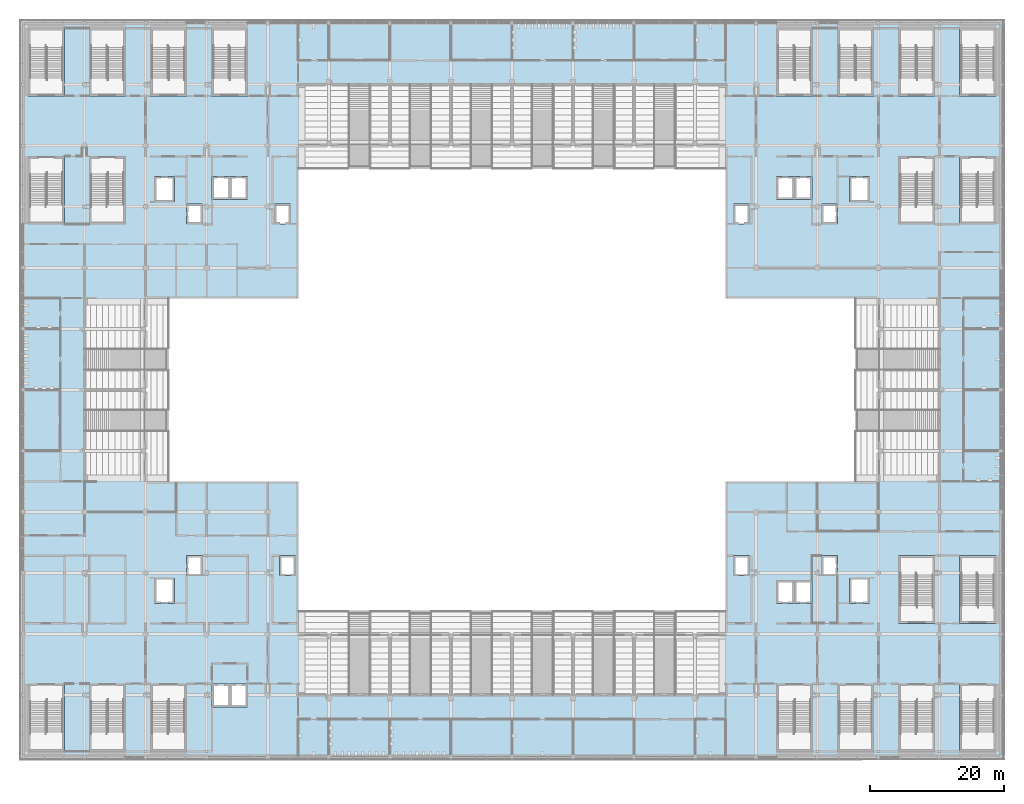
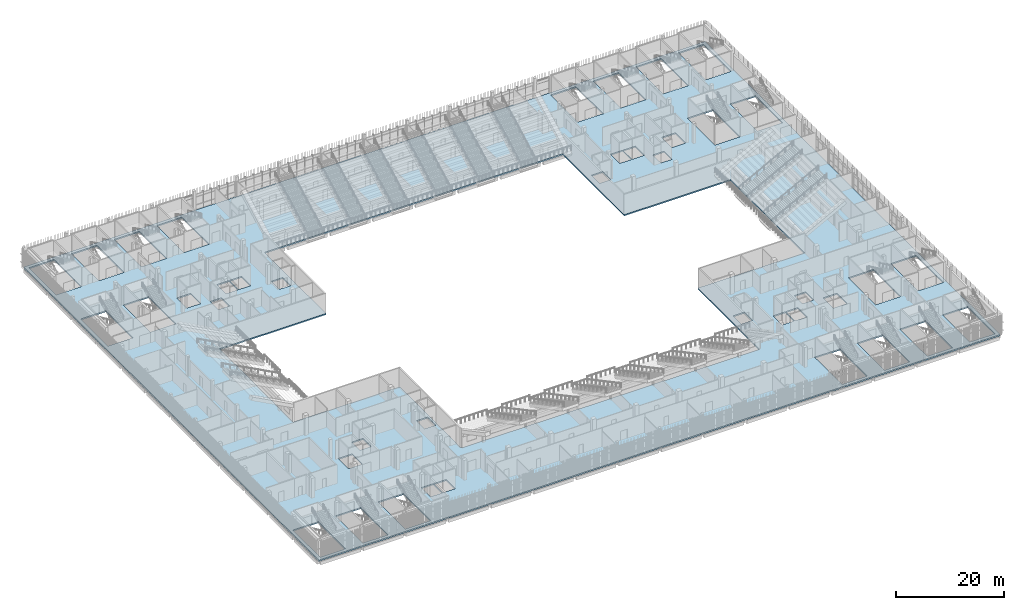
# One storey, part 66 of 139: 1 slab.
"""IFC4 building model written with IfcOpenShell, lengths in metres."""

from ifc_helpers import new_model, si_unit, direction, frame, origin, place, context, subcontext, project, spatial, polyline, outline, extrude, material, layer, layer_set, type_object, element, save


model = new_model("IFC4")

# Units and contexts
model_context = context("Model", 3, precision=1e-05, world=origin(), true_north=direction((0.0, 1.0)))
body_context = subcontext(model_context, "Body", "Model", "MODEL_VIEW")
ifc_project = project(units=[si_unit("LENGTHUNIT", "METRE"), si_unit("AREAUNIT", "SQUARE_METRE"), si_unit("VOLUMEUNIT", "CUBIC_METRE"), si_unit("PLANEANGLEUNIT", "RADIAN"), si_unit("MASSUNIT", "GRAM", prefix="KILO")], contexts=[model_context])

# Site, building, storey
site_placement = place(None, origin())
site = spatial("IfcSite", under=ifc_project, at=site_placement, CompositionType="ELEMENT")
building_placement = place(site_placement, origin())
building = spatial("IfcBuilding", under=site, at=building_placement, Name="Shirokan Park Arena", CompositionType="ELEMENT")
storey_placement = place(building_placement, frame((0.0, 0.0, 15.469970703125)))
storey = spatial("IfcBuildingStorey", under=building, at=storey_placement, Name="L03", CompositionType="ELEMENT", Elevation=15.469970703125)

# Slab
ifc_material = material(Name="Concrete C35", Category="concrete")
ifc_layer = layer(ifc_material, 0.300048828125)
ifc_layer_set = layer_set([ifc_layer], Name="Concrete C35 300 mm")
slab_type = type_object("IfcSlabType", Name="RC floor slab 300", PredefinedType="FLOOR", material=ifc_layer_set)
slab_placement = place(storey_placement, frame((0.0, 0.0, -0.300048828125)))
element("IfcSlab", 1, at=slab_placement, inside=storey, type_object=slab_type, Name="Floor slab L03", PredefinedType="FLOOR", context=body_context, shape_type="SweptSolid", body=[
    extrude(outline(polyline([(0.0, 109.199951171875), (145.60009765625, 109.199951171875), (145.60009765625, 0.0), (0.0, 0.0), (0.0, 109.199951171875)]), holes=[polyline([(104.64990234375, 91.0), (40.949951171875, 91.0), (40.949951171875, 68.25), (18.199951171875, 68.25), (18.199951171875, 40.949951171875), (40.949951171875, 40.949951171875), (40.949951171875, 18.199951171875), (104.64990234375, 18.199951171875), (104.64990234375, 40.949951171875), (127.39990234375, 40.949951171875), (127.39990234375, 68.25), (104.64990234375, 68.25), (104.64990234375, 91.0)]), polyline([(6.10009765625, 0.699951171875), (6.10009765625, 10.800048828125), (0.699951171875, 10.800048828125), (0.699951171875, 0.699951171875), (6.10009765625, 0.699951171875)]), polyline([(15.199951171875, 0.699951171875), (15.199951171875, 10.800048828125), (9.800048828125, 10.800048828125), (9.800048828125, 0.699951171875), (15.199951171875, 0.699951171875)]), polyline([(24.300048828125, 0.699951171875), (24.300048828125, 10.800048828125), (18.89990234375, 10.800048828125), (18.89990234375, 0.699951171875), (24.300048828125, 0.699951171875)]), polyline([(28.10009765625, 7.35009765625), (30.699951171875, 7.35009765625), (30.699951171875, 10.75), (28.10009765625, 10.75), (28.10009765625, 7.35009765625)]), polyline([(19.5, 22.800048828125), (22.5, 22.800048828125), (22.5, 26.60009765625), (19.5, 26.60009765625), (19.5, 22.800048828125)]), polyline([(26.699951171875, 26.89990234375), (26.699951171875, 29.89990234375), (24.300048828125, 29.89990234375), (24.300048828125, 26.89990234375), (26.699951171875, 26.89990234375)]), polyline([(26.699951171875, 79.300048828125), (26.699951171875, 82.300048828125), (24.300048828125, 82.300048828125), (24.300048828125, 79.300048828125), (26.699951171875, 79.300048828125)]), polyline([(6.10009765625, 79.300048828125), (6.10009765625, 89.39990234375), (0.699951171875, 89.39990234375), (0.699951171875, 79.300048828125), (6.10009765625, 79.300048828125)]), polyline([(9.800048828125, 79.300048828125), (15.199951171875, 79.300048828125), (15.199951171875, 89.39990234375), (9.800048828125, 89.39990234375), (9.800048828125, 79.300048828125)]), polyline([(19.5, 82.60009765625), (22.5, 82.60009765625), (22.5, 86.39990234375), (19.5, 86.39990234375), (19.5, 82.60009765625)]), polyline([(30.699951171875, 83.0), (30.699951171875, 86.39990234375), (28.10009765625, 86.39990234375), (28.10009765625, 83.0), (30.699951171875, 83.0)]), polyline([(6.10009765625, 98.39990234375), (6.10009765625, 108.5), (0.699951171875, 108.5), (0.699951171875, 98.39990234375), (6.10009765625, 98.39990234375)]), polyline([(15.199951171875, 98.39990234375), (15.199951171875, 108.5), (9.800048828125, 108.5), (9.800048828125, 98.39990234375), (15.199951171875, 98.39990234375)]), polyline([(18.89990234375, 98.39990234375), (24.300048828125, 98.39990234375), (24.300048828125, 108.5), (18.89990234375, 108.5), (18.89990234375, 98.39990234375)]), polyline([(112.199951171875, 0.699951171875), (117.60009765625, 0.699951171875), (117.60009765625, 10.800048828125), (112.199951171875, 10.800048828125), (112.199951171875, 0.699951171875)]), polyline([(33.39990234375, 7.35009765625), (33.39990234375, 10.75), (30.800048828125, 10.75), (30.800048828125, 7.35009765625), (33.39990234375, 7.35009765625)]), polyline([(114.800048828125, 22.800048828125), (114.800048828125, 26.199951171875), (112.199951171875, 26.199951171875), (112.199951171875, 22.800048828125), (114.800048828125, 22.800048828125)]), polyline([(117.5, 22.800048828125), (117.5, 26.199951171875), (114.89990234375, 26.199951171875), (114.89990234375, 22.800048828125), (117.5, 22.800048828125)]), polyline([(38.14990234375, 26.89990234375), (40.550048828125, 26.89990234375), (40.550048828125, 29.89990234375), (38.14990234375, 29.89990234375), (38.14990234375, 26.89990234375)]), polyline([(105.800048828125, 26.89990234375), (108.199951171875, 26.89990234375), (108.199951171875, 29.89990234375), (105.800048828125, 29.89990234375), (105.800048828125, 26.89990234375)]), polyline([(39.800048828125, 79.300048828125), (39.800048828125, 82.300048828125), (37.39990234375, 82.300048828125), (37.39990234375, 79.300048828125), (39.800048828125, 79.300048828125)]), polyline([(108.199951171875, 79.300048828125), (108.199951171875, 82.300048828125), (105.800048828125, 82.300048828125), (105.800048828125, 79.300048828125), (108.199951171875, 79.300048828125)]), polyline([(121.300048828125, 79.300048828125), (121.300048828125, 82.300048828125), (118.89990234375, 82.300048828125), (118.89990234375, 79.300048828125), (121.300048828125, 79.300048828125)]), polyline([(30.800048828125, 83.0), (33.39990234375, 83.0), (33.39990234375, 86.39990234375), (30.800048828125, 86.39990234375), (30.800048828125, 83.0)]), polyline([(112.199951171875, 83.0), (114.800048828125, 83.0), (114.800048828125, 86.39990234375), (112.199951171875, 86.39990234375), (112.199951171875, 83.0)]), polyline([(117.5, 83.0), (117.5, 86.39990234375), (114.89990234375, 86.39990234375), (114.89990234375, 83.0), (117.5, 83.0)]), polyline([(33.39990234375, 98.39990234375), (33.39990234375, 108.5), (28.0, 108.5), (28.0, 98.39990234375), (33.39990234375, 98.39990234375)]), polyline([(117.60009765625, 98.39990234375), (117.60009765625, 108.5), (112.199951171875, 108.5), (112.199951171875, 98.39990234375), (117.60009765625, 98.39990234375)]), polyline([(121.300048828125, 0.699951171875), (126.699951171875, 0.699951171875), (126.699951171875, 10.800048828125), (121.300048828125, 10.800048828125), (121.300048828125, 0.699951171875)]), polyline([(130.39990234375, 0.699951171875), (135.800048828125, 0.699951171875), (135.800048828125, 10.800048828125), (130.39990234375, 10.800048828125), (130.39990234375, 0.699951171875)]), polyline([(144.89990234375, 0.699951171875), (144.89990234375, 10.800048828125), (139.5, 10.800048828125), (139.5, 0.699951171875), (144.89990234375, 0.699951171875)]), polyline([(126.10009765625, 22.800048828125), (126.10009765625, 26.60009765625), (123.10009765625, 26.60009765625), (123.10009765625, 22.800048828125), (126.10009765625, 22.800048828125)]), polyline([(135.800048828125, 19.800048828125), (135.800048828125, 29.89990234375), (130.39990234375, 29.89990234375), (130.39990234375, 19.800048828125), (135.800048828125, 19.800048828125)]), polyline([(139.5, 19.800048828125), (144.89990234375, 19.800048828125), (144.89990234375, 29.89990234375), (139.5, 29.89990234375), (139.5, 19.800048828125)]), polyline([(118.89990234375, 26.89990234375), (121.300048828125, 26.89990234375), (121.300048828125, 29.89990234375), (118.89990234375, 29.89990234375), (118.89990234375, 26.89990234375)]), polyline([(135.800048828125, 79.300048828125), (135.800048828125, 89.39990234375), (130.39990234375, 89.39990234375), (130.39990234375, 79.300048828125), (135.800048828125, 79.300048828125)]), polyline([(139.5, 79.300048828125), (144.89990234375, 79.300048828125), (144.89990234375, 89.39990234375), (139.5, 89.39990234375), (139.5, 79.300048828125)]), polyline([(123.10009765625, 82.60009765625), (126.10009765625, 82.60009765625), (126.10009765625, 86.39990234375), (123.10009765625, 86.39990234375), (123.10009765625, 82.60009765625)]), polyline([(126.699951171875, 98.39990234375), (126.699951171875, 108.5), (121.300048828125, 108.5), (121.300048828125, 98.39990234375), (126.699951171875, 98.39990234375)]), polyline([(130.39990234375, 98.39990234375), (135.800048828125, 98.39990234375), (135.800048828125, 108.5), (130.39990234375, 108.5), (130.39990234375, 98.39990234375)]), polyline([(139.5, 98.39990234375), (144.89990234375, 98.39990234375), (144.89990234375, 108.5), (139.5, 108.5), (139.5, 98.39990234375)])]), origin(), (0.0, 0.0, 1.0), 0.300048828125),
])

save(model, "model.ifc")
